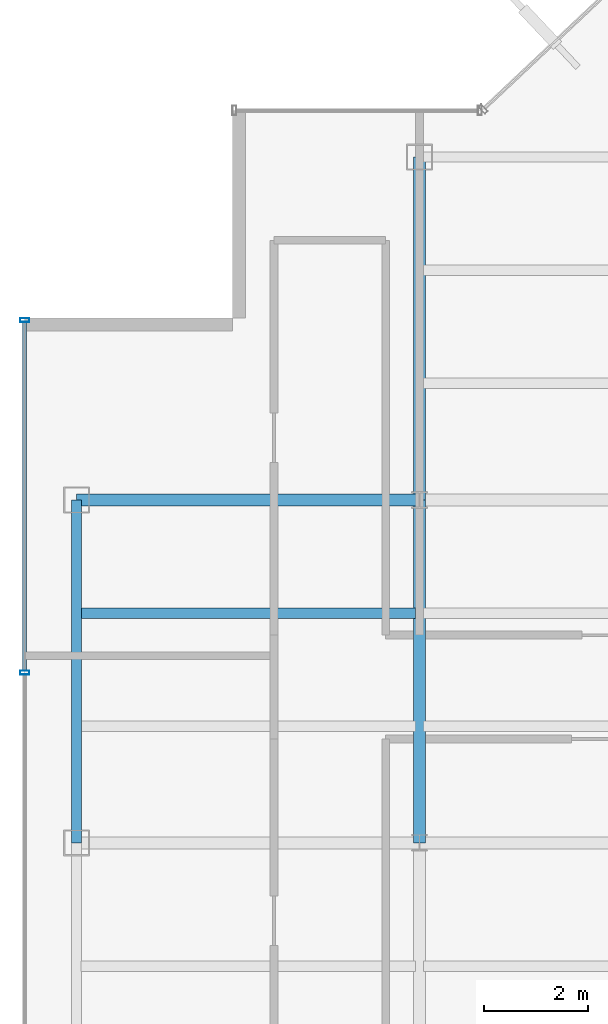
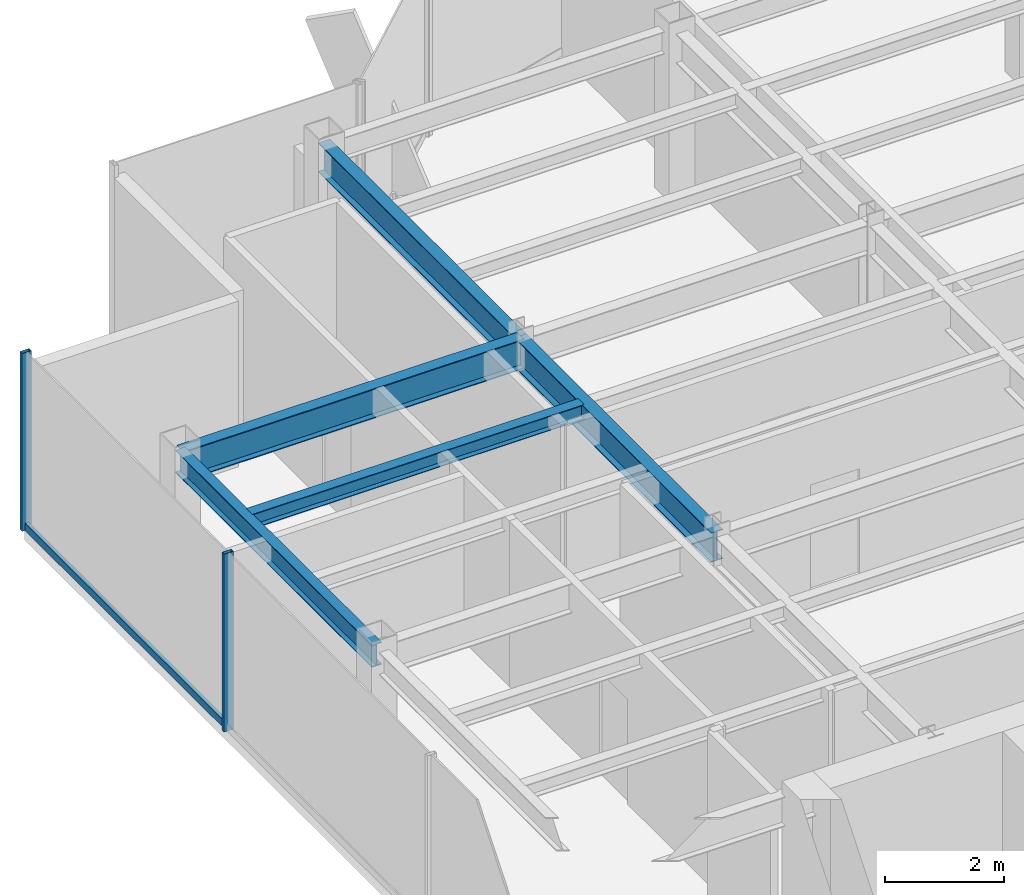
# One storey, part 7 of 22: 5 beams, 3 members, 1 element without a shape of its own.
"""IFC4 building model written with IfcOpenShell, lengths in metres."""

from ifc_helpers import new_model, si_unit, derived_unit, direction, frame, origin, origin_2d, place, context, subcontext, project, spatial, hollow_rectangle, i_section, extrude, source, transform, mapped, material, material_profile, profile_set, type_object, element, aggregate, save


model = new_model("IFC4")

# Units and contexts
model_context = context("Model", 3, precision=1e-05, world=origin(), true_north=direction((0.0, 1.0)))
body_context = subcontext(model_context, "Body", "Model", "MODEL_VIEW")
ifc_project = project(units=[si_unit("LENGTHUNIT", "METRE"), si_unit("AREAUNIT", "SQUARE_METRE"), si_unit("VOLUMEUNIT", "CUBIC_METRE"), si_unit("PLANEANGLEUNIT", "RADIAN"), si_unit("MASSUNIT", "GRAM", prefix="KILO"), derived_unit("THERMALTRANSMITTANCEUNIT", [(si_unit("POWERUNIT", "WATT"), 1), (si_unit("LENGTHUNIT", "METRE"), -2), (si_unit("THERMODYNAMICTEMPERATUREUNIT", "KELVIN"), -1)])], contexts=[model_context])

# Site, building, storey
site_placement = place(None, origin())
site = spatial("IfcSite", under=ifc_project, at=site_placement, CompositionType="ELEMENT")
building_placement = place(site_placement, origin())
building = spatial("IfcBuilding", under=site, at=building_placement, Name="Skarnbrae Concourse Arena and Tower", CompositionType="ELEMENT")
storey_placement = place(building_placement, frame((0.0, 0.0, 251.5)))
storey = spatial("IfcBuildingStorey", under=building, at=storey_placement, Name="L65", CompositionType="ELEMENT", Elevation=251.5)

# Beams
ifc_material_1 = material(Name="Steel CSA G40.21 350W", Category="steel")
ifc_material_profile_1 = material_profile(ifc_material_1, i_section(OverallWidth=0.22802734375, OverallDepth=0.60791015625, WebThickness=0.01123046875, FlangeThickness=0.017333984375, at=origin_2d()), Name="W610X113")
ifc_profile_set_1 = profile_set([ifc_material_profile_1], Name="Steel CSA G40.21 350W")
beam_type_1 = type_object("IfcBeamType", Name="BM-GIRD-W610X113", PredefinedType="BEAM", material=ifc_profile_set_1)
shared_shape_1 = source(origin(), body_context, "Body", "SweptSolid", [
    extrude(i_section(OverallWidth=0.22802734375, OverallDepth=0.60791015625, WebThickness=0.01123046875, FlangeThickness=0.017333984375, at=origin_2d()), origin(), (0.0, 0.0, 1.0), 6.60009765625),
])
for number, where, z_axis, x_axis, name in (
    (1, (1.0, 27.800048828125, 3.095947265625), (1.0, 0.0, 0.0), (0.0, 1.0, 0.0), "L65 Primary E-W girder Y27.8-1"),
    (2, (7.60009765625, 21.199951171875, 3.095947265625), (0.0, 1.0, 0.0), (-1.0, 0.0, 0.0), "L65 Primary N-S girder X7.6-2"),
):
    element("IfcBeam", number, at=place(storey_placement, frame(where, z_axis=z_axis, x_axis=x_axis)), inside=storey, type_object=beam_type_1, Name=name, PredefinedType="BEAM", context=body_context, shape_type="MappedRepresentation", body=[
        mapped(shared_shape_1, transform((0.0, 0.0, 0.0))),
    ])
ifc_material_profile_2 = material_profile(ifc_material_1, i_section(OverallWidth=0.19091796875, OverallDepth=0.4599609375, WebThickness=0.010009765625, FlangeThickness=0.01611328125, at=origin_2d()), Name="W460X82")
ifc_profile_set_2 = profile_set([ifc_material_profile_2], Name="Steel CSA G40.21 350W")
beam_type_2 = type_object("IfcBeamType", Name="BM-SPAN-W460X82", PredefinedType="SPANDREL", material=ifc_profile_set_2)
shared_shape_2 = source(origin(), body_context, "Body", "SweptSolid", [
    extrude(i_section(OverallWidth=0.19091796875, OverallDepth=0.4599609375, WebThickness=0.010009765625, FlangeThickness=0.01611328125, at=origin_2d()), origin(), (0.0, 0.0, 1.0), 6.60009765625),
])
beam_1_placement = place(storey_placement, frame((1.0, 21.199951171875, 3.169921875), z_axis=(0.0, 1.0, 0.0), x_axis=(-1.0, 0.0, 0.0)))
element("IfcBeam", 3, at=beam_1_placement, inside=storey, type_object=beam_type_2, Name="L65 Perimeter spandrel X1.0-3", PredefinedType="SPANDREL", context=body_context, shape_type="MappedRepresentation", body=[
    mapped(shared_shape_2, transform((0.0, 0.0, 0.0))),
])
shared_shape_3 = source(origin(), body_context, "Body", "SweptSolid", [
    extrude(i_section(OverallWidth=0.22802734375, OverallDepth=0.60791015625, WebThickness=0.01123046875, FlangeThickness=0.017333984375, at=origin_2d()), origin(), (0.0, 0.0, 1.0), 6.599853515625),
])
beam_2_placement = place(storey_placement, frame((7.60009765625, 27.800048828125, 3.095947265625), z_axis=(0.0, 1.0, 0.0), x_axis=(-1.0, 0.0, 0.0)))
element("IfcBeam", 4, at=beam_2_placement, inside=storey, type_object=beam_type_1, Name="L65 Primary N-S girder X7.6-3", PredefinedType="BEAM", context=body_context, shape_type="MappedRepresentation", body=[
    mapped(shared_shape_3, transform((0.0, 0.0, 0.0))),
])
ifc_material_profile_3 = material_profile(ifc_material_1, i_section(OverallWidth=0.202880859375, OverallDepth=0.302978515625, WebThickness=0.007568359375, FlangeThickness=0.01318359375, at=origin_2d()), Name="W310X60")
ifc_profile_set_3 = profile_set([ifc_material_profile_3], Name="Steel CSA G40.21 350W")
beam_type_3 = type_object("IfcBeamType", Name="BM-JOIST-W310X60", PredefinedType="JOIST", material=ifc_profile_set_3)
shared_shape_4 = source(origin(), body_context, "Body", "SweptSolid", [
    extrude(i_section(OverallWidth=0.202880859375, OverallDepth=0.302978515625, WebThickness=0.007568359375, FlangeThickness=0.01318359375, at=origin_2d()), origin(), (0.0, 0.0, 1.0), 6.43994140625),
])
beam_3_placement = place(storey_placement, frame((1.080078125, 25.6220703125, 3.24853515625), z_axis=(1.0, 0.0, 0.0), x_axis=(0.0, 1.0, 0.0)))
element("IfcBeam", 5, at=beam_3_placement, inside=storey, type_object=beam_type_3, Name="L65 Secondary floor joist 2.2.1", PredefinedType="JOIST", context=body_context, shape_type="MappedRepresentation", body=[
    mapped(shared_shape_4, transform((0.0, 0.0, 0.0))),
])

# Curtain wall, members
ifc_material_2 = material(Name="Bronze anodised aluminium 6063-T6", Category="aluminium")
curtain_wall_type = type_object("IfcCurtainWallType", Name="CW-SYS-05-HIGHZONE", PredefinedType="USERDEFINED", material=ifc_material_2)
curtain_wall_placement = place(storey_placement, origin())
curtain_wall = element("IfcCurtainWall", 6, at=curtain_wall_placement, inside=storey, type_object=curtain_wall_type, Name="L65 Unitised curtain wall CW-L65-E18", ObjectType="UNITISED CURTAIN WALL", PredefinedType="USERDEFINED")
ifc_material_profile_4 = material_profile(ifc_material_2, hollow_rectangle(XDim=0.074951171875, YDim=0.179931640625, WallThickness=0.00390625, at=origin_2d()), Name="ALU-MULL-75X180")
ifc_profile_set_4 = profile_set([ifc_material_profile_4], Name="Bronze anodised aluminium 6063-T6")
member_type_1 = type_object("IfcMemberType", Name="CWM-CW-05", PredefinedType="MULLION", material=ifc_profile_set_4)
shared_shape_5 = source(origin(), body_context, "Body", "SweptSolid", [
    extrude(hollow_rectangle(XDim=0.074951171875, YDim=0.179931640625, WallThickness=0.00390625, at=origin_2d()), origin(), (0.0, 0.0, 1.0), 3.64990234375),
])
member_1_placement = place(storey_placement, frame((0.0, 31.262451171875, 0.0), z_axis=(0.0, 0.0, 1.0), x_axis=(0.0, -1.0, 0.0)))
member_1 = element("IfcMember", 7, at=member_1_placement, type_object=member_type_1, Name="CW-L65-E18 Mullion 1", PredefinedType="MULLION", context=body_context, shape_type="MappedRepresentation", body=[
    mapped(shared_shape_5, transform((0.0, 0.0, 0.0))),
])
member_2_placement = place(storey_placement, frame((0.0, 24.47509765625, 0.0), z_axis=(0.0, 0.0, 1.0), x_axis=(0.0, -1.0, 0.0)))
member_2 = element("IfcMember", 8, at=member_2_placement, type_object=member_type_1, Name="CW-L65-E18 Mullion 2", PredefinedType="MULLION", context=body_context, shape_type="MappedRepresentation", body=[
    mapped(shared_shape_5, transform((0.0, 0.0, 0.0))),
])
ifc_material_profile_5 = material_profile(ifc_material_2, hollow_rectangle(XDim=0.074951171875, YDim=0.14990234375, WallThickness=0.00390625, at=origin_2d()), Name="ALU-TRAN-75X150")
ifc_profile_set_5 = profile_set([ifc_material_profile_5], Name="Bronze anodised aluminium 6063-T6")
member_type_2 = type_object("IfcMemberType", Name="CWT-CW-05", PredefinedType="USERDEFINED", material=ifc_profile_set_5)
shared_shape_6 = source(origin(), body_context, "Body", "SweptSolid", [
    extrude(hollow_rectangle(XDim=0.074951171875, YDim=0.14990234375, WallThickness=0.00390625, at=origin_2d()), origin(), (0.0, 0.0, 1.0), 6.712646484375),
])
member_3_placement = place(storey_placement, frame((0.0, 31.22509765625, 0.074951171875), z_axis=(0.0, -1.0, 0.0), x_axis=(1.0, 0.0, 0.0)))
member_3 = element("IfcMember", 9, at=member_3_placement, type_object=member_type_2, Name="CW-L65-E18 Transom 1", ObjectType="TRANSOM", PredefinedType="USERDEFINED", context=body_context, shape_type="MappedRepresentation", body=[
    mapped(shared_shape_6, transform((0.0, 0.0, 0.0))),
])
aggregate(curtain_wall, [member_1, member_2, member_3])

save(model, "model.ifc")
